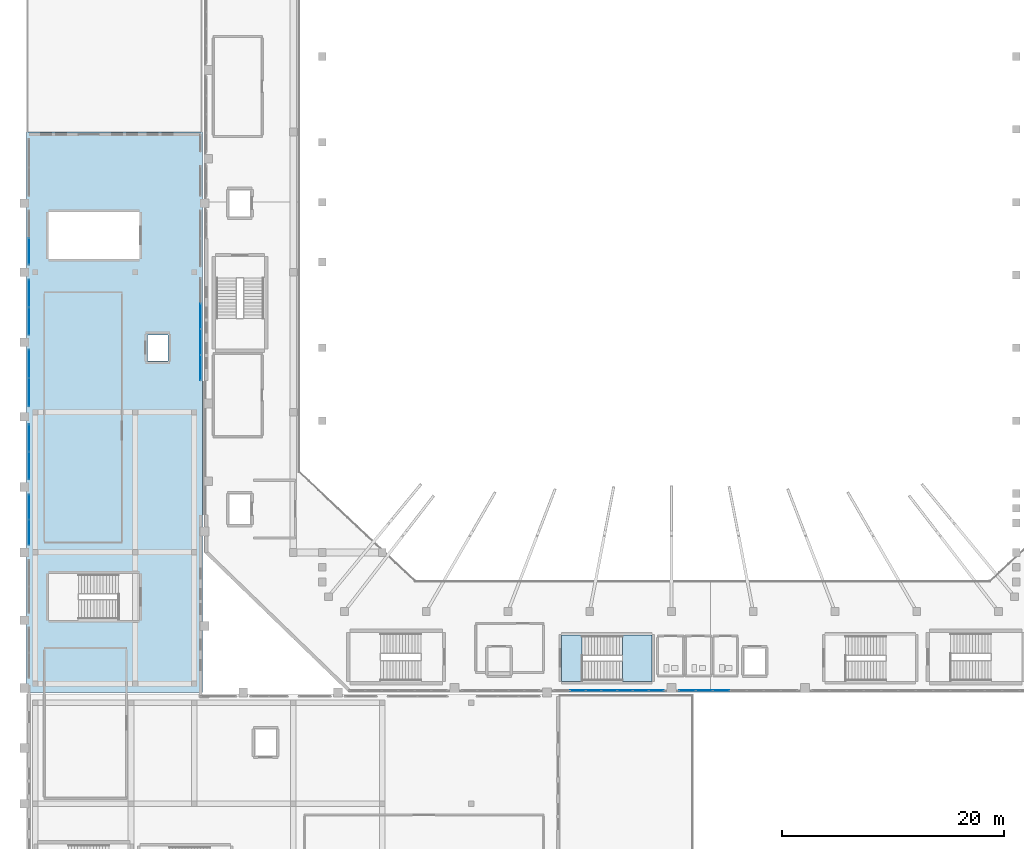
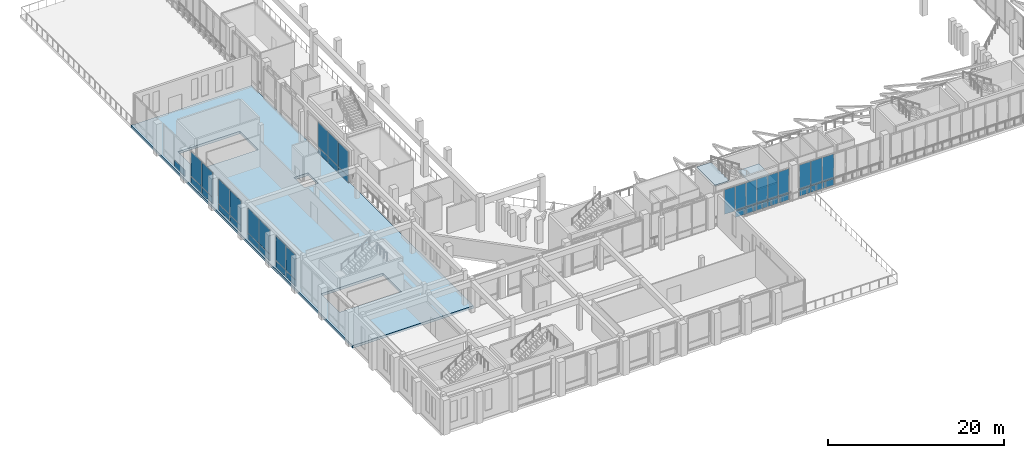
# One storey, part 43 of 79: 40 plates, 3 slabs, 9 elements without a shape of their own.
"""IFC4 building model written with IfcOpenShell, lengths in metres."""

from ifc_helpers import new_model, si_unit, derived_unit, direction, frame, origin, origin_2d, place, context, subcontext, project, spatial, polyline, rectangle, outline, extrude, material, layer, layer_set, type_object, element, aggregate, save


model = new_model("IFC4")

# Units and contexts
model_context = context("Model", 3, precision=1e-05, world=origin(), true_north=direction((0.0, 1.0)))
body_context = subcontext(model_context, "Body", "Model", "MODEL_VIEW")
ifc_project = project(units=[si_unit("LENGTHUNIT", "METRE"), si_unit("AREAUNIT", "SQUARE_METRE"), si_unit("VOLUMEUNIT", "CUBIC_METRE"), si_unit("PLANEANGLEUNIT", "RADIAN"), si_unit("MASSUNIT", "GRAM", prefix="KILO"), derived_unit("THERMALTRANSMITTANCEUNIT", [(si_unit("MASSUNIT", "GRAM", prefix="KILO"), 1), (si_unit("TIMEUNIT", "SECOND"), -3), (si_unit("THERMODYNAMICTEMPERATUREUNIT", "KELVIN"), -1)])], contexts=[model_context])

# Site, building, storey
site_placement = place(None, origin())
site = spatial("IfcSite", under=ifc_project, at=site_placement, CompositionType="ELEMENT")
building_placement = place(site_placement, origin())
building = spatial("IfcBuilding", under=site, at=building_placement, Name="Valcora Ridge Arena", CompositionType="ELEMENT")
storey_placement = place(building_placement, frame((0.0, 0.0, 16.199951171875)))
storey = spatial("IfcBuildingStorey", under=building, at=storey_placement, Name="L03", CompositionType="ELEMENT", Elevation=16.199951171875)

# Stair, slabs
ifc_material_1 = material(Name="Concrete C40/50", Category="concrete")
stair_type = type_object("IfcStairType", Name="TY-STAIR-ES01-48", PredefinedType="HALF_TURN_STAIR", material=ifc_material_1)
stair_placement = place(storey_placement, origin())
stair = element("IfcStair", 1, at=stair_placement, inside=storey, type_object=stair_type, Name="ES01-48 STR-ES-0004", PredefinedType="HALF_TURN_STAIR")
ifc_layer_1 = layer(ifc_material_1, 0.199951171875, Name="Concrete C40/50")
ifc_layer_set_1 = layer_set([ifc_layer_1], Name="Concrete C40/50")
slab_type_1 = type_object("IfcSlabType", Name="TY-LAND-ES01-48", PredefinedType="LANDING", material=ifc_layer_set_1)
slab_1_placement = place(storey_placement, frame((0.0, 0.0, 2.199951171875)))
slab_1 = element("IfcSlab", 2, at=slab_1_placement, type_object=slab_type_1, Name="ES01-48 landing 1", PredefinedType="LANDING", context=body_context, shape_type="SweptSolid", body=[
    extrude(outline(polyline([(53.580078125, 21.001953125), (56.258056640625, 21.001953125), (56.258056640625, 25.197998046875), (53.580078125, 25.197998046875), (53.580078125, 21.001953125)])), origin(), (0.0, 0.0, 1.0), 0.2001953125),
])
slab_2_placement = place(storey_placement, frame((0.0, 0.0, 4.60009765625)))
slab_2 = element("IfcSlab", 3, at=slab_2_placement, type_object=slab_type_1, Name="ES01-48 landing 2", PredefinedType="LANDING", context=body_context, shape_type="SweptSolid", body=[
    extrude(outline(polyline([(48.10205078125, 21.001953125), (49.97998046875, 21.001953125), (49.97998046875, 25.197998046875), (48.10205078125, 25.197998046875), (48.10205078125, 21.001953125)])), origin(), (0.0, 0.0, 1.0), 0.199951171875),
])
aggregate(stair, [slab_1, slab_2])

# Curtain wall, plates
ifc_material_2 = material(Name="Anodised dark bronze architectural aluminium 6063-T6", Category="aluminium")
ifc_layer_2 = layer(ifc_material_2, 0.179931640625, Name="Anodised dark bronze architectural aluminium 6063-T6")
ifc_layer_set_2 = layer_set([ifc_layer_2], Name="Anodised dark bronze architectural aluminium 6063-T6")
curtain_wall_type_1 = type_object("IfcCurtainWallType", Name="TY-CURTAINWALL-CW-V1-GOTH-099X44", PredefinedType="NOTDEFINED", material=ifc_layer_set_2)
curtain_wall_1_placement = place(storey_placement, origin())
curtain_wall_1 = element("IfcCurtainWall", 4, at=curtain_wall_1_placement, inside=storey, type_object=curtain_wall_type_1, Name="CW-V1-GOTH-099X44 CW-0138", PredefinedType="NOTDEFINED")
ifc_material_3 = material(Name="Low-iron solar-control double glazing SHGC 0.28", Category="glass")
ifc_layer_3 = layer(ifc_material_3, 0.031982421875, Name="Low-iron solar-control double glazing SHGC 0.28")
ifc_layer_set_3 = layer_set([ifc_layer_3], Name="Low-iron solar-control double glazing SHGC 0.28")
plate_type_1 = type_object("IfcPlateType", Name="TY-PLT-CWP-1327X0860", PredefinedType="CURTAIN_PANEL", material=ifc_layer_set_3)
plate_1_placement = place(storey_placement, frame((56.636474609375, 20.199951171875, 0.06005859375), z_axis=(0.0, 0.0, 1.0), x_axis=(1.0, 0.0, 0.0)))
plate_1 = element("IfcPlate", 5, at=plate_1_placement, type_object=plate_type_1, Name="CW-0138/P06-00", PredefinedType="CURTAIN_PANEL", context=body_context, shape_type="SweptSolid", body=[
    extrude(rectangle(XDim=1.326904296875, YDim=0.031982421875, at=origin_2d()), origin(), (0.0, 0.0, 1.0), 0.860107421875),
])
ifc_layer_4 = layer(ifc_material_3, 0.031982421875, Name="Low-iron solar-control double glazing SHGC 0.28")
ifc_layer_set_4 = layer_set([ifc_layer_4], Name="Low-iron solar-control double glazing SHGC 0.28")
plate_type_2 = type_object("IfcPlateType", Name="TY-PLT-CWP-1327X3400", PredefinedType="CURTAIN_PANEL", material=ifc_layer_set_4)
plate_2_placement = place(storey_placement, frame((56.636474609375, 20.199951171875, 0.97998046875), z_axis=(0.0, 0.0, 1.0), x_axis=(1.0, 0.0, 0.0)))
plate_2 = element("IfcPlate", 6, at=plate_2_placement, type_object=plate_type_2, Name="CW-0138/P06-01", PredefinedType="CURTAIN_PANEL", context=body_context, shape_type="SweptSolid", body=[
    extrude(rectangle(XDim=1.326904296875, YDim=0.031982421875, at=origin_2d()), origin(), (0.0, 0.0, 1.0), 3.39990234375),
])
ifc_layer_5 = layer(ifc_material_3, 0.031982421875, Name="Low-iron solar-control double glazing SHGC 0.28")
ifc_layer_set_5 = layer_set([ifc_layer_5], Name="Low-iron solar-control double glazing SHGC 0.28")
plate_type_3 = type_object("IfcPlateType", Name="TY-PLT-CWP-1357X0860", PredefinedType="CURTAIN_PANEL", material=ifc_layer_set_5)
plate_3_placement = place(storey_placement, frame((50.982421875, 20.199951171875, 0.06005859375), z_axis=(0.0, 0.0, 1.0), x_axis=(1.0, 0.0, 0.0)))
plate_3 = element("IfcPlate", 7, at=plate_3_placement, type_object=plate_type_3, Name="CW-0138/P02-00", PredefinedType="CURTAIN_PANEL", context=body_context, shape_type="SweptSolid", body=[
    extrude(rectangle(XDim=1.35693359375, YDim=0.031982421875, at=origin_2d()), origin(), (0.0, 0.0, 1.0), 0.860107421875),
])
plate_4_placement = place(storey_placement, frame((53.8173828125, 20.199951171875, 0.06005859375), z_axis=(0.0, 0.0, 1.0), x_axis=(1.0, 0.0, 0.0)))
plate_4 = element("IfcPlate", 8, at=plate_4_placement, type_object=plate_type_3, Name="CW-0138/P04-00", PredefinedType="CURTAIN_PANEL", context=body_context, shape_type="SweptSolid", body=[
    extrude(rectangle(XDim=1.35693359375, YDim=0.031982421875, at=origin_2d()), origin(), (0.0, 0.0, 1.0), 0.860107421875),
])
plate_5_placement = place(storey_placement, frame((55.234619140625, 20.199951171875, 0.06005859375), z_axis=(0.0, 0.0, 1.0), x_axis=(1.0, 0.0, 0.0)))
plate_5 = element("IfcPlate", 9, at=plate_5_placement, type_object=plate_type_3, Name="CW-0138/P05-00", PredefinedType="CURTAIN_PANEL", context=body_context, shape_type="SweptSolid", body=[
    extrude(rectangle(XDim=1.35693359375, YDim=0.031982421875, at=origin_2d()), origin(), (0.0, 0.0, 1.0), 0.860107421875),
])
ifc_layer_6 = layer(ifc_material_3, 0.031982421875, Name="Low-iron solar-control double glazing SHGC 0.28")
ifc_layer_set_6 = layer_set([ifc_layer_6], Name="Low-iron solar-control double glazing SHGC 0.28")
plate_type_4 = type_object("IfcPlateType", Name="TY-PLT-CWP-1357X3400", PredefinedType="CURTAIN_PANEL", material=ifc_layer_set_6)
plate_6_placement = place(storey_placement, frame((49.5654296875, 20.199951171875, 0.97998046875), z_axis=(0.0, 0.0, 1.0), x_axis=(1.0, 0.0, 0.0)))
plate_6 = element("IfcPlate", 10, at=plate_6_placement, type_object=plate_type_4, Name="CW-0138/P01-01", PredefinedType="CURTAIN_PANEL", context=body_context, shape_type="SweptSolid", body=[
    extrude(rectangle(XDim=1.35693359375, YDim=0.031982421875, at=origin_2d()), origin(), (0.0, 0.0, 1.0), 3.39990234375),
])
plate_7_placement = place(storey_placement, frame((50.982421875, 20.199951171875, 0.97998046875), z_axis=(0.0, 0.0, 1.0), x_axis=(1.0, 0.0, 0.0)))
plate_7 = element("IfcPlate", 11, at=plate_7_placement, type_object=plate_type_4, Name="CW-0138/P02-01", PredefinedType="CURTAIN_PANEL", context=body_context, shape_type="SweptSolid", body=[
    extrude(rectangle(XDim=1.35693359375, YDim=0.031982421875, at=origin_2d()), origin(), (0.0, 0.0, 1.0), 3.39990234375),
])
plate_8_placement = place(storey_placement, frame((53.8173828125, 20.199951171875, 0.97998046875), z_axis=(0.0, 0.0, 1.0), x_axis=(1.0, 0.0, 0.0)))
plate_8 = element("IfcPlate", 12, at=plate_8_placement, type_object=plate_type_4, Name="CW-0138/P04-01", PredefinedType="CURTAIN_PANEL", context=body_context, shape_type="SweptSolid", body=[
    extrude(rectangle(XDim=1.35693359375, YDim=0.031982421875, at=origin_2d()), origin(), (0.0, 0.0, 1.0), 3.39990234375),
])
plate_9_placement = place(storey_placement, frame((55.234619140625, 20.199951171875, 0.97998046875), z_axis=(0.0, 0.0, 1.0), x_axis=(1.0, 0.0, 0.0)))
plate_9 = element("IfcPlate", 13, at=plate_9_placement, type_object=plate_type_4, Name="CW-0138/P05-01", PredefinedType="CURTAIN_PANEL", context=body_context, shape_type="SweptSolid", body=[
    extrude(rectangle(XDim=1.35693359375, YDim=0.031982421875, at=origin_2d()), origin(), (0.0, 0.0, 1.0), 3.39990234375),
])
ifc_layer_7 = layer(ifc_material_3, 0.031982421875, Name="Low-iron solar-control double glazing SHGC 0.28")
ifc_layer_set_7 = layer_set([ifc_layer_7], Name="Low-iron solar-control double glazing SHGC 0.28")
plate_type_5 = type_object("IfcPlateType", Name="TY-PLT-CWP-1358X0860", PredefinedType="CURTAIN_PANEL", material=ifc_layer_set_7)
plate_10_placement = place(storey_placement, frame((52.39990234375, 20.199951171875, 0.06005859375), z_axis=(0.0, 0.0, 1.0), x_axis=(1.0, 0.0, 0.0)))
plate_10 = element("IfcPlate", 14, at=plate_10_placement, type_object=plate_type_5, Name="CW-0138/P03-00", PredefinedType="CURTAIN_PANEL", context=body_context, shape_type="SweptSolid", body=[
    extrude(rectangle(XDim=1.35791015625, YDim=0.031982421875, at=origin_2d()), origin(), (0.0, 0.0, 1.0), 0.860107421875),
])
ifc_layer_8 = layer(ifc_material_3, 0.031982421875, Name="Low-iron solar-control double glazing SHGC 0.28")
ifc_layer_set_8 = layer_set([ifc_layer_8], Name="Low-iron solar-control double glazing SHGC 0.28")
plate_type_6 = type_object("IfcPlateType", Name="TY-PLT-CWP-1358X3400", PredefinedType="CURTAIN_PANEL", material=ifc_layer_set_8)
plate_11_placement = place(storey_placement, frame((52.39990234375, 20.199951171875, 0.97998046875), z_axis=(0.0, 0.0, 1.0), x_axis=(1.0, 0.0, 0.0)))
plate_11 = element("IfcPlate", 15, at=plate_11_placement, type_object=plate_type_6, Name="CW-0138/P03-01", PredefinedType="CURTAIN_PANEL", context=body_context, shape_type="SweptSolid", body=[
    extrude(rectangle(XDim=1.35791015625, YDim=0.031982421875, at=origin_2d()), origin(), (0.0, 0.0, 1.0), 3.39990234375),
])
aggregate(curtain_wall_1, [plate_6, plate_3, plate_7, plate_10, plate_11, plate_4, plate_8, plate_5, plate_9, plate_1, plate_2])

ifc_layer_9 = layer(ifc_material_2, 0.179931640625, Name="Anodised dark bronze architectural aluminium 6063-T6")
ifc_layer_set_9 = layer_set([ifc_layer_9], Name="Anodised dark bronze architectural aluminium 6063-T6")
curtain_wall_type_2 = type_object("IfcCurtainWallType", Name="TY-CURTAINWALL-CW-V1-GOTH-107X44", PredefinedType="NOTDEFINED", material=ifc_layer_set_9)
curtain_wall_2_placement = place(storey_placement, origin())
curtain_wall_2 = element("IfcCurtainWall", 16, at=curtain_wall_2_placement, inside=storey, type_object=curtain_wall_type_2, Name="CW-V1-GOTH-107X44 CW-0139", PredefinedType="NOTDEFINED")
ifc_layer_10 = layer(ifc_material_3, 0.031982421875, Name="Low-iron solar-control double glazing SHGC 0.28")
ifc_layer_set_10 = layer_set([ifc_layer_10], Name="Low-iron solar-control double glazing SHGC 0.28")
plate_type_7 = type_object("IfcPlateType", Name="TY-PLT-CWP-1441X0860", PredefinedType="CURTAIN_PANEL", material=ifc_layer_set_10)
plate_12_placement = place(storey_placement, frame((59.42041015625, 20.199951171875, 0.06005859375), z_axis=(0.0, 0.0, 1.0), x_axis=(1.0, 0.0, 0.0)))
plate_12 = element("IfcPlate", 17, at=plate_12_placement, type_object=plate_type_7, Name="CW-0139/P00-00", PredefinedType="CURTAIN_PANEL", context=body_context, shape_type="SweptSolid", body=[
    extrude(rectangle(XDim=1.44091796875, YDim=0.031982421875, at=origin_2d()), origin(), (0.0, 0.0, 1.0), 0.860107421875),
])
ifc_layer_11 = layer(ifc_material_3, 0.031982421875, Name="Low-iron solar-control double glazing SHGC 0.28")
ifc_layer_set_11 = layer_set([ifc_layer_11], Name="Low-iron solar-control double glazing SHGC 0.28")
plate_type_8 = type_object("IfcPlateType", Name="TY-PLT-CWP-1441X3400", PredefinedType="CURTAIN_PANEL", material=ifc_layer_set_11)
plate_13_placement = place(storey_placement, frame((59.42041015625, 20.199951171875, 0.97998046875), z_axis=(0.0, 0.0, 1.0), x_axis=(1.0, 0.0, 0.0)))
plate_13 = element("IfcPlate", 18, at=plate_13_placement, type_object=plate_type_8, Name="CW-0139/P00-01", PredefinedType="CURTAIN_PANEL", context=body_context, shape_type="SweptSolid", body=[
    extrude(rectangle(XDim=1.44091796875, YDim=0.031982421875, at=origin_2d()), origin(), (0.0, 0.0, 1.0), 3.39990234375),
])
ifc_layer_12 = layer(ifc_material_3, 0.031982421875, Name="Low-iron solar-control double glazing SHGC 0.28")
ifc_layer_set_12 = layer_set([ifc_layer_12], Name="Low-iron solar-control double glazing SHGC 0.28")
plate_type_9 = type_object("IfcPlateType", Name="TY-PLT-CWP-1471X0860", PredefinedType="CURTAIN_PANEL", material=ifc_layer_set_12)
plate_14_placement = place(storey_placement, frame((62.468505859375, 20.199951171875, 0.06005859375), z_axis=(0.0, 0.0, 1.0), x_axis=(1.0, 0.0, 0.0)))
plate_14 = element("IfcPlate", 19, at=plate_14_placement, type_object=plate_type_9, Name="CW-0139/P02-00", PredefinedType="CURTAIN_PANEL", context=body_context, shape_type="SweptSolid", body=[
    extrude(rectangle(XDim=1.470947265625, YDim=0.031982421875, at=origin_2d()), origin(), (0.0, 0.0, 1.0), 0.860107421875),
])
ifc_layer_13 = layer(ifc_material_3, 0.031982421875, Name="Low-iron solar-control double glazing SHGC 0.28")
ifc_layer_set_13 = layer_set([ifc_layer_13], Name="Low-iron solar-control double glazing SHGC 0.28")
plate_type_10 = type_object("IfcPlateType", Name="TY-PLT-CWP-1471X3400", PredefinedType="CURTAIN_PANEL", material=ifc_layer_set_13)
plate_15_placement = place(storey_placement, frame((62.468505859375, 20.199951171875, 0.97998046875), z_axis=(0.0, 0.0, 1.0), x_axis=(1.0, 0.0, 0.0)))
plate_15 = element("IfcPlate", 20, at=plate_15_placement, type_object=plate_type_10, Name="CW-0139/P02-01", PredefinedType="CURTAIN_PANEL", context=body_context, shape_type="SweptSolid", body=[
    extrude(rectangle(XDim=1.470947265625, YDim=0.031982421875, at=origin_2d()), origin(), (0.0, 0.0, 1.0), 3.39990234375),
])
ifc_layer_14 = layer(ifc_material_3, 0.031982421875, Name="Low-iron solar-control double glazing SHGC 0.28")
ifc_layer_set_14 = layer_set([ifc_layer_14], Name="Low-iron solar-control double glazing SHGC 0.28")
plate_type_11 = type_object("IfcPlateType", Name="TY-PLT-CWP-1472X0860", PredefinedType="CURTAIN_PANEL", material=ifc_layer_set_14)
plate_16_placement = place(storey_placement, frame((60.93701171875, 20.199951171875, 0.06005859375), z_axis=(0.0, 0.0, 1.0), x_axis=(1.0, 0.0, 0.0)))
plate_16 = element("IfcPlate", 21, at=plate_16_placement, type_object=plate_type_11, Name="CW-0139/P01-00", PredefinedType="CURTAIN_PANEL", context=body_context, shape_type="SweptSolid", body=[
    extrude(rectangle(XDim=1.471923828125, YDim=0.031982421875, at=origin_2d()), origin(), (0.0, 0.0, 1.0), 0.860107421875),
])
ifc_layer_15 = layer(ifc_material_3, 0.031982421875, Name="Low-iron solar-control double glazing SHGC 0.28")
ifc_layer_set_15 = layer_set([ifc_layer_15], Name="Low-iron solar-control double glazing SHGC 0.28")
plate_type_12 = type_object("IfcPlateType", Name="TY-PLT-CWP-1472X3400", PredefinedType="CURTAIN_PANEL", material=ifc_layer_set_15)
plate_17_placement = place(storey_placement, frame((60.93701171875, 20.199951171875, 0.97998046875), z_axis=(0.0, 0.0, 1.0), x_axis=(1.0, 0.0, 0.0)))
plate_17 = element("IfcPlate", 22, at=plate_17_placement, type_object=plate_type_12, Name="CW-0139/P01-01", PredefinedType="CURTAIN_PANEL", context=body_context, shape_type="SweptSolid", body=[
    extrude(rectangle(XDim=1.471923828125, YDim=0.031982421875, at=origin_2d()), origin(), (0.0, 0.0, 1.0), 3.39990234375),
])
aggregate(curtain_wall_2, [plate_12, plate_13, plate_16, plate_17, plate_14, plate_15])

ifc_layer_16 = layer(ifc_material_2, 0.14990234375, Name="Anodised dark bronze architectural aluminium 6063-T6")
ifc_layer_set_16 = layer_set([ifc_layer_16], Name="Anodised dark bronze architectural aluminium 6063-T6")
curtain_wall_type_3 = type_object("IfcCurtainWallType", Name="TY-CURTAINWALL-CW-V4-CLUB-046X44", PredefinedType="NOTDEFINED", material=ifc_layer_set_16)
curtain_wall_3_placement = place(storey_placement, origin())
curtain_wall_3 = element("IfcCurtainWall", 23, at=curtain_wall_3_placement, inside=storey, type_object=curtain_wall_type_3, Name="CW-V4-CLUB-046X44 CW-0287", PredefinedType="NOTDEFINED")
ifc_layer_17 = layer(ifc_material_3, 0.028076171875, Name="Low-iron solar-control double glazing SHGC 0.28")
ifc_layer_set_17 = layer_set([ifc_layer_17], Name="Low-iron solar-control double glazing SHGC 0.28")
plate_type_13 = type_object("IfcPlateType", Name="TY-PLT-CWP-2235X0875", PredefinedType="CURTAIN_PANEL", material=ifc_layer_set_17)
plate_18_placement = place(storey_placement, frame((0.219970703125, 34.407470703125, 0.050048828125), z_axis=(0.0, 0.0, 1.0), x_axis=(0.0, 1.0, 0.0)))
plate_18 = element("IfcPlate", 24, at=plate_18_placement, type_object=plate_type_13, Name="CW-0287/P00-00", PredefinedType="CURTAIN_PANEL", context=body_context, shape_type="SweptSolid", body=[
    extrude(rectangle(XDim=2.235107421875, YDim=0.028076171875, at=origin_2d()), origin(), (0.0, 0.0, 1.0), 0.875),
])
plate_19_placement = place(storey_placement, frame((0.219970703125, 36.6923828125, 0.050048828125), z_axis=(0.0, 0.0, 1.0), x_axis=(0.0, 1.0, 0.0)))
plate_19 = element("IfcPlate", 25, at=plate_19_placement, type_object=plate_type_13, Name="CW-0287/P01-00", PredefinedType="CURTAIN_PANEL", context=body_context, shape_type="SweptSolid", body=[
    extrude(rectangle(XDim=2.235107421875, YDim=0.028076171875, at=origin_2d()), origin(), (0.0, 0.0, 1.0), 0.875),
])
ifc_layer_18 = layer(ifc_material_3, 0.028076171875, Name="Low-iron solar-control double glazing SHGC 0.28")
ifc_layer_set_18 = layer_set([ifc_layer_18], Name="Low-iron solar-control double glazing SHGC 0.28")
plate_type_14 = type_object("IfcPlateType", Name="TY-PLT-CWP-2235X3415", PredefinedType="CURTAIN_PANEL", material=ifc_layer_set_18)
plate_20_placement = place(storey_placement, frame((0.219970703125, 34.407470703125, 0.97509765625), z_axis=(0.0, 0.0, 1.0), x_axis=(0.0, 1.0, 0.0)))
plate_20 = element("IfcPlate", 26, at=plate_20_placement, type_object=plate_type_14, Name="CW-0287/P00-01", PredefinedType="CURTAIN_PANEL", context=body_context, shape_type="SweptSolid", body=[
    extrude(rectangle(XDim=2.235107421875, YDim=0.028076171875, at=origin_2d()), origin(), (0.0, 0.0, 1.0), 3.4150390625),
])
plate_21_placement = place(storey_placement, frame((0.219970703125, 36.6923828125, 0.97509765625), z_axis=(0.0, 0.0, 1.0), x_axis=(0.0, 1.0, 0.0)))
plate_21 = element("IfcPlate", 27, at=plate_21_placement, type_object=plate_type_14, Name="CW-0287/P01-01", PredefinedType="CURTAIN_PANEL", context=body_context, shape_type="SweptSolid", body=[
    extrude(rectangle(XDim=2.235107421875, YDim=0.028076171875, at=origin_2d()), origin(), (0.0, 0.0, 1.0), 3.4150390625),
])
aggregate(curtain_wall_3, [plate_18, plate_20, plate_19, plate_21])

ifc_layer_19 = layer(ifc_material_2, 0.14990234375, Name="Anodised dark bronze architectural aluminium 6063-T6")
ifc_layer_set_19 = layer_set([ifc_layer_19], Name="Anodised dark bronze architectural aluminium 6063-T6")
curtain_wall_type_4 = type_object("IfcCurtainWallType", Name="TY-CURTAINWALL-CW-V4-CLUB-093X44", PredefinedType="NOTDEFINED", material=ifc_layer_set_19)
curtain_wall_4_placement = place(storey_placement, origin())
curtain_wall_4 = element("IfcCurtainWall", 28, at=curtain_wall_4_placement, inside=storey, type_object=curtain_wall_type_4, Name="CW-V4-CLUB-093X44 CW-0293", PredefinedType="NOTDEFINED")
ifc_layer_20 = layer(ifc_material_3, 0.028076171875, Name="Low-iron solar-control double glazing SHGC 0.28")
ifc_layer_set_20 = layer_set([ifc_layer_20], Name="Low-iron solar-control double glazing SHGC 0.28")
plate_type_15 = type_object("IfcPlateType", Name="TY-PLT-CWP-2240X0875", PredefinedType="CURTAIN_PANEL", material=ifc_layer_set_20)
plate_22_placement = place(storey_placement, frame((15.64990234375, 49.219970703125, 0.050048828125), z_axis=(0.0, 0.0, 1.0), x_axis=(0.0, 1.0, 0.0)))
plate_22 = element("IfcPlate", 29, at=plate_22_placement, type_object=plate_type_15, Name="CW-0293/P00-00", PredefinedType="CURTAIN_PANEL", context=body_context, shape_type="SweptSolid", body=[
    extrude(rectangle(XDim=2.239990234375, YDim=0.028076171875, at=origin_2d()), origin(), (0.0, 0.0, 1.0), 0.875),
])
ifc_layer_21 = layer(ifc_material_3, 0.028076171875, Name="Low-iron solar-control double glazing SHGC 0.28")
ifc_layer_set_21 = layer_set([ifc_layer_21], Name="Low-iron solar-control double glazing SHGC 0.28")
plate_type_16 = type_object("IfcPlateType", Name="TY-PLT-CWP-2240X3415", PredefinedType="CURTAIN_PANEL", material=ifc_layer_set_21)
plate_23_placement = place(storey_placement, frame((15.64990234375, 49.219970703125, 0.97509765625), z_axis=(0.0, 0.0, 1.0), x_axis=(0.0, 1.0, 0.0)))
plate_23 = element("IfcPlate", 30, at=plate_23_placement, type_object=plate_type_16, Name="CW-0293/P00-01", PredefinedType="CURTAIN_PANEL", context=body_context, shape_type="SweptSolid", body=[
    extrude(rectangle(XDim=2.239990234375, YDim=0.028076171875, at=origin_2d()), origin(), (0.0, 0.0, 1.0), 3.4150390625),
])
ifc_layer_22 = layer(ifc_material_3, 0.028076171875, Name="Low-iron solar-control double glazing SHGC 0.28")
ifc_layer_set_22 = layer_set([ifc_layer_22], Name="Low-iron solar-control double glazing SHGC 0.28")
plate_type_17 = type_object("IfcPlateType", Name="TY-PLT-CWP-2265X0875", PredefinedType="CURTAIN_PANEL", material=ifc_layer_set_22)
plate_24_placement = place(storey_placement, frame((15.64990234375, 51.5224609375, 0.050048828125), z_axis=(0.0, 0.0, 1.0), x_axis=(0.0, 1.0, 0.0)))
plate_24 = element("IfcPlate", 31, at=plate_24_placement, type_object=plate_type_17, Name="CW-0293/P01-00", PredefinedType="CURTAIN_PANEL", context=body_context, shape_type="SweptSolid", body=[
    extrude(rectangle(XDim=2.264892578125, YDim=0.028076171875, at=origin_2d()), origin(), (0.0, 0.0, 1.0), 0.875),
])
plate_25_placement = place(storey_placement, frame((15.64990234375, 53.83740234375, 0.050048828125), z_axis=(0.0, 0.0, 1.0), x_axis=(0.0, 1.0, 0.0)))
plate_25 = element("IfcPlate", 32, at=plate_25_placement, type_object=plate_type_17, Name="CW-0293/P02-00", PredefinedType="CURTAIN_PANEL", context=body_context, shape_type="SweptSolid", body=[
    extrude(rectangle(XDim=2.264892578125, YDim=0.028076171875, at=origin_2d()), origin(), (0.0, 0.0, 1.0), 0.875),
])
ifc_layer_23 = layer(ifc_material_3, 0.028076171875, Name="Low-iron solar-control double glazing SHGC 0.28")
ifc_layer_set_23 = layer_set([ifc_layer_23], Name="Low-iron solar-control double glazing SHGC 0.28")
plate_type_18 = type_object("IfcPlateType", Name="TY-PLT-CWP-2265X3415", PredefinedType="CURTAIN_PANEL", material=ifc_layer_set_23)
plate_26_placement = place(storey_placement, frame((15.64990234375, 51.5224609375, 0.97509765625), z_axis=(0.0, 0.0, 1.0), x_axis=(0.0, 1.0, 0.0)))
plate_26 = element("IfcPlate", 33, at=plate_26_placement, type_object=plate_type_18, Name="CW-0293/P01-01", PredefinedType="CURTAIN_PANEL", context=body_context, shape_type="SweptSolid", body=[
    extrude(rectangle(XDim=2.264892578125, YDim=0.028076171875, at=origin_2d()), origin(), (0.0, 0.0, 1.0), 3.4150390625),
])
plate_27_placement = place(storey_placement, frame((15.64990234375, 53.83740234375, 0.97509765625), z_axis=(0.0, 0.0, 1.0), x_axis=(0.0, 1.0, 0.0)))
plate_27 = element("IfcPlate", 34, at=plate_27_placement, type_object=plate_type_18, Name="CW-0293/P02-01", PredefinedType="CURTAIN_PANEL", context=body_context, shape_type="SweptSolid", body=[
    extrude(rectangle(XDim=2.264892578125, YDim=0.028076171875, at=origin_2d()), origin(), (0.0, 0.0, 1.0), 3.4150390625),
])
aggregate(curtain_wall_4, [plate_22, plate_23, plate_24, plate_26, plate_25, plate_27])

# Curtain wall, plate
ifc_layer_24 = layer(ifc_material_2, 0.14990234375, Name="Anodised dark bronze architectural aluminium 6063-T6")
ifc_layer_set_24 = layer_set([ifc_layer_24], Name="Anodised dark bronze architectural aluminium 6063-T6")
curtain_wall_type_5 = type_object("IfcCurtainWallType", Name="TY-CURTAINWALL-CW-V4-CLUB-049X44", PredefinedType="NOTDEFINED", material=ifc_layer_set_24)
curtain_wall_5_placement = place(storey_placement, origin())
curtain_wall_5 = element("IfcCurtainWall", 35, at=curtain_wall_5_placement, inside=storey, type_object=curtain_wall_type_5, Name="CW-V4-CLUB-049X44 CW-0291", PredefinedType="NOTDEFINED")
ifc_layer_25 = layer(ifc_material_3, 0.028076171875, Name="Low-iron solar-control double glazing SHGC 0.28")
ifc_layer_set_25 = layer_set([ifc_layer_25], Name="Low-iron solar-control double glazing SHGC 0.28")
plate_type_19 = type_object("IfcPlateType", Name="TY-PLT-CWP-2385X0875", PredefinedType="CURTAIN_PANEL", material=ifc_layer_set_25)
plate_28_placement = place(storey_placement, frame((0.219970703125, 59.6826171875, 0.050048828125), z_axis=(0.0, 0.0, 1.0), x_axis=(0.0, 1.0, 0.0)))
plate_28 = element("IfcPlate", 36, at=plate_28_placement, type_object=plate_type_19, Name="CW-0291/P00-00", PredefinedType="CURTAIN_PANEL", context=body_context, shape_type="SweptSolid", body=[
    extrude(rectangle(XDim=2.385009765625, YDim=0.028076171875, at=origin_2d()), origin(), (0.0, 0.0, 1.0), 0.875),
])
aggregate(curtain_wall_5, [plate_28])

# Curtain wall, plates
ifc_layer_26 = layer(ifc_material_2, 0.14990234375, Name="Anodised dark bronze architectural aluminium 6063-T6")
ifc_layer_set_26 = layer_set([ifc_layer_26], Name="Anodised dark bronze architectural aluminium 6063-T6")
curtain_wall_type_6 = type_object("IfcCurtainWallType", Name="TY-CURTAINWALL-CW-V4-CLUB-050X44", PredefinedType="NOTDEFINED", material=ifc_layer_set_26)
curtain_wall_6_placement = place(storey_placement, origin())
curtain_wall_6 = element("IfcCurtainWall", 37, at=curtain_wall_6_placement, inside=storey, type_object=curtain_wall_type_6, Name="CW-V4-CLUB-050X44 CW-0288", PredefinedType="NOTDEFINED")
ifc_layer_27 = layer(ifc_material_3, 0.028076171875, Name="Low-iron solar-control double glazing SHGC 0.28")
ifc_layer_set_27 = layer_set([ifc_layer_27], Name="Low-iron solar-control double glazing SHGC 0.28")
plate_type_20 = type_object("IfcPlateType", Name="TY-PLT-CWP-2435X0875", PredefinedType="CURTAIN_PANEL", material=ifc_layer_set_27)
plate_29_placement = place(storey_placement, frame((0.219970703125, 40.407470703125, 0.050048828125), z_axis=(0.0, 0.0, 1.0), x_axis=(0.0, 1.0, 0.0)))
plate_29 = element("IfcPlate", 38, at=plate_29_placement, type_object=plate_type_20, Name="CW-0288/P00-00", PredefinedType="CURTAIN_PANEL", context=body_context, shape_type="SweptSolid", body=[
    extrude(rectangle(XDim=2.43505859375, YDim=0.028076171875, at=origin_2d()), origin(), (0.0, 0.0, 1.0), 0.875),
])
plate_30_placement = place(storey_placement, frame((0.219970703125, 42.892578125, 0.050048828125), z_axis=(0.0, 0.0, 1.0), x_axis=(0.0, 1.0, 0.0)))
plate_30 = element("IfcPlate", 39, at=plate_30_placement, type_object=plate_type_20, Name="CW-0288/P01-00", PredefinedType="CURTAIN_PANEL", context=body_context, shape_type="SweptSolid", body=[
    extrude(rectangle(XDim=2.43505859375, YDim=0.028076171875, at=origin_2d()), origin(), (0.0, 0.0, 1.0), 0.875),
])

curtain_wall_7_placement = place(storey_placement, origin())
curtain_wall_7 = element("IfcCurtainWall", 40, at=curtain_wall_7_placement, inside=storey, type_object=curtain_wall_type_6, Name="CW-V4-CLUB-050X44 CW-0290", PredefinedType="NOTDEFINED")
plate_31_placement = place(storey_placement, frame((0.219970703125, 53.407470703125, 0.050048828125), z_axis=(0.0, 0.0, 1.0), x_axis=(0.0, 1.0, 0.0)))
plate_31 = element("IfcPlate", 41, at=plate_31_placement, type_object=plate_type_20, Name="CW-0290/P00-00", PredefinedType="CURTAIN_PANEL", context=body_context, shape_type="SweptSolid", body=[
    extrude(rectangle(XDim=2.43505859375, YDim=0.028076171875, at=origin_2d()), origin(), (0.0, 0.0, 1.0), 0.875),
])
plate_32_placement = place(storey_placement, frame((0.219970703125, 55.892578125, 0.050048828125), z_axis=(0.0, 0.0, 1.0), x_axis=(0.0, 1.0, 0.0)))
plate_32 = element("IfcPlate", 42, at=plate_32_placement, type_object=plate_type_20, Name="CW-0290/P01-00", PredefinedType="CURTAIN_PANEL", context=body_context, shape_type="SweptSolid", body=[
    extrude(rectangle(XDim=2.43505859375, YDim=0.028076171875, at=origin_2d()), origin(), (0.0, 0.0, 1.0), 0.875),
])

# Plate
ifc_layer_28 = layer(ifc_material_3, 0.028076171875, Name="Low-iron solar-control double glazing SHGC 0.28")
ifc_layer_set_28 = layer_set([ifc_layer_28], Name="Low-iron solar-control double glazing SHGC 0.28")
plate_type_21 = type_object("IfcPlateType", Name="TY-PLT-CWP-2435X3415", PredefinedType="CURTAIN_PANEL", material=ifc_layer_set_28)
plate_33_placement = place(storey_placement, frame((0.219970703125, 40.407470703125, 0.97509765625), z_axis=(0.0, 0.0, 1.0), x_axis=(0.0, 1.0, 0.0)))
plate_33 = element("IfcPlate", 43, at=plate_33_placement, type_object=plate_type_21, Name="CW-0288/P00-01", PredefinedType="CURTAIN_PANEL", context=body_context, shape_type="SweptSolid", body=[
    extrude(rectangle(XDim=2.43505859375, YDim=0.028076171875, at=origin_2d()), origin(), (0.0, 0.0, 1.0), 3.4150390625),
])

plate_34_placement = place(storey_placement, frame((0.219970703125, 42.892578125, 0.97509765625), z_axis=(0.0, 0.0, 1.0), x_axis=(0.0, 1.0, 0.0)))
plate_34 = element("IfcPlate", 44, at=plate_34_placement, type_object=plate_type_21, Name="CW-0288/P01-01", PredefinedType="CURTAIN_PANEL", context=body_context, shape_type="SweptSolid", body=[
    extrude(rectangle(XDim=2.43505859375, YDim=0.028076171875, at=origin_2d()), origin(), (0.0, 0.0, 1.0), 3.4150390625),
])

aggregate(curtain_wall_6, [plate_29, plate_33, plate_30, plate_34])

plate_35_placement = place(storey_placement, frame((0.219970703125, 53.407470703125, 0.97509765625), z_axis=(0.0, 0.0, 1.0), x_axis=(0.0, 1.0, 0.0)))
plate_35 = element("IfcPlate", 45, at=plate_35_placement, type_object=plate_type_21, Name="CW-0290/P00-01", PredefinedType="CURTAIN_PANEL", context=body_context, shape_type="SweptSolid", body=[
    extrude(rectangle(XDim=2.43505859375, YDim=0.028076171875, at=origin_2d()), origin(), (0.0, 0.0, 1.0), 3.4150390625),
])

plate_36_placement = place(storey_placement, frame((0.219970703125, 55.892578125, 0.97509765625), z_axis=(0.0, 0.0, 1.0), x_axis=(0.0, 1.0, 0.0)))
plate_36 = element("IfcPlate", 46, at=plate_36_placement, type_object=plate_type_21, Name="CW-0290/P01-01", PredefinedType="CURTAIN_PANEL", context=body_context, shape_type="SweptSolid", body=[
    extrude(rectangle(XDim=2.43505859375, YDim=0.028076171875, at=origin_2d()), origin(), (0.0, 0.0, 1.0), 3.4150390625),
])

aggregate(curtain_wall_7, [plate_31, plate_35, plate_32, plate_36])

# Curtain wall, plates
ifc_layer_29 = layer(ifc_material_2, 0.14990234375, Name="Anodised dark bronze architectural aluminium 6063-T6")
ifc_layer_set_29 = layer_set([ifc_layer_29], Name="Anodised dark bronze architectural aluminium 6063-T6")
curtain_wall_type_7 = type_object("IfcCurtainWallType", Name="TY-CURTAINWALL-CW-V4-CLUB-052X44", PredefinedType="NOTDEFINED", material=ifc_layer_set_29)
curtain_wall_8_placement = place(storey_placement, origin())
curtain_wall_8 = element("IfcCurtainWall", 47, at=curtain_wall_8_placement, inside=storey, type_object=curtain_wall_type_7, Name="CW-V4-CLUB-052X44 CW-0289", PredefinedType="NOTDEFINED")
ifc_layer_30 = layer(ifc_material_3, 0.028076171875, Name="Low-iron solar-control double glazing SHGC 0.28")
ifc_layer_set_30 = layer_set([ifc_layer_30], Name="Low-iron solar-control double glazing SHGC 0.28")
plate_type_22 = type_object("IfcPlateType", Name="TY-PLT-CWP-2510X0875", PredefinedType="CURTAIN_PANEL", material=ifc_layer_set_30)
plate_37_placement = place(storey_placement, frame((0.219970703125, 46.9951171875, 0.050048828125), z_axis=(0.0, 0.0, 1.0), x_axis=(0.0, 1.0, 0.0)))
plate_37 = element("IfcPlate", 48, at=plate_37_placement, type_object=plate_type_22, Name="CW-0289/P00-00", PredefinedType="CURTAIN_PANEL", context=body_context, shape_type="SweptSolid", body=[
    extrude(rectangle(XDim=2.510009765625, YDim=0.028076171875, at=origin_2d()), origin(), (0.0, 0.0, 1.0), 0.875),
])
plate_38_placement = place(storey_placement, frame((0.219970703125, 49.554931640625, 0.050048828125), z_axis=(0.0, 0.0, 1.0), x_axis=(0.0, 1.0, 0.0)))
plate_38 = element("IfcPlate", 49, at=plate_38_placement, type_object=plate_type_22, Name="CW-0289/P01-00", PredefinedType="CURTAIN_PANEL", context=body_context, shape_type="SweptSolid", body=[
    extrude(rectangle(XDim=2.510009765625, YDim=0.028076171875, at=origin_2d()), origin(), (0.0, 0.0, 1.0), 0.875),
])
ifc_layer_31 = layer(ifc_material_3, 0.028076171875, Name="Low-iron solar-control double glazing SHGC 0.28")
ifc_layer_set_31 = layer_set([ifc_layer_31], Name="Low-iron solar-control double glazing SHGC 0.28")
plate_type_23 = type_object("IfcPlateType", Name="TY-PLT-CWP-2510X3415", PredefinedType="CURTAIN_PANEL", material=ifc_layer_set_31)
plate_39_placement = place(storey_placement, frame((0.219970703125, 46.9951171875, 0.97509765625), z_axis=(0.0, 0.0, 1.0), x_axis=(0.0, 1.0, 0.0)))
plate_39 = element("IfcPlate", 50, at=plate_39_placement, type_object=plate_type_23, Name="CW-0289/P00-01", PredefinedType="CURTAIN_PANEL", context=body_context, shape_type="SweptSolid", body=[
    extrude(rectangle(XDim=2.510009765625, YDim=0.028076171875, at=origin_2d()), origin(), (0.0, 0.0, 1.0), 3.4150390625),
])
plate_40_placement = place(storey_placement, frame((0.219970703125, 49.554931640625, 0.97509765625), z_axis=(0.0, 0.0, 1.0), x_axis=(0.0, 1.0, 0.0)))
plate_40 = element("IfcPlate", 51, at=plate_40_placement, type_object=plate_type_23, Name="CW-0289/P01-01", PredefinedType="CURTAIN_PANEL", context=body_context, shape_type="SweptSolid", body=[
    extrude(rectangle(XDim=2.510009765625, YDim=0.028076171875, at=origin_2d()), origin(), (0.0, 0.0, 1.0), 3.4150390625),
])
aggregate(curtain_wall_8, [plate_37, plate_39, plate_38, plate_40])

# Slab
ifc_layer_32 = layer(ifc_material_1, 0.35009765625, Name="Concrete C40/50")
ifc_layer_set_32 = layer_set([ifc_layer_32], Name="Concrete C40/50")
slab_type_2 = type_object("IfcSlabType", Name="TY-SLAB-SL-V4-350-P2", PredefinedType="FLOOR", material=ifc_layer_set_32)
slab_3_placement = place(storey_placement, frame((0.0, 0.0, -0.349853515625)))
element("IfcSlab", 52, at=slab_3_placement, inside=storey, type_object=slab_type_2, Name="SL-V4-350-P2 SLB-0063", PredefinedType="FLOOR", context=body_context, shape_type="SweptSolid", body=[
    extrude(outline(polyline([(0.0, 70.39990234375), (0.0, 20.0), (15.85009765625, 20.0), (15.85009765625, 70.39990234375), (0.0, 70.39990234375)]), holes=[polyline([(2.0, 30.699951171875), (2.0, 26.5), (10.159912109375, 26.5), (10.159912109375, 30.699951171875), (2.0, 30.699951171875)]), polyline([(2.0, 63.199951171875), (2.0, 59.0), (10.159912109375, 59.0), (10.159912109375, 63.199951171875), (2.0, 63.199951171875)]), polyline([(12.719970703125, 52.169921875), (10.8798828125, 52.169921875), (10.8798828125, 49.830078125), (12.719970703125, 49.830078125), (12.719970703125, 52.169921875)])]), origin(), (0.0, 0.0, 1.0), 0.349853515625),
])

save(model, "model.ifc")
